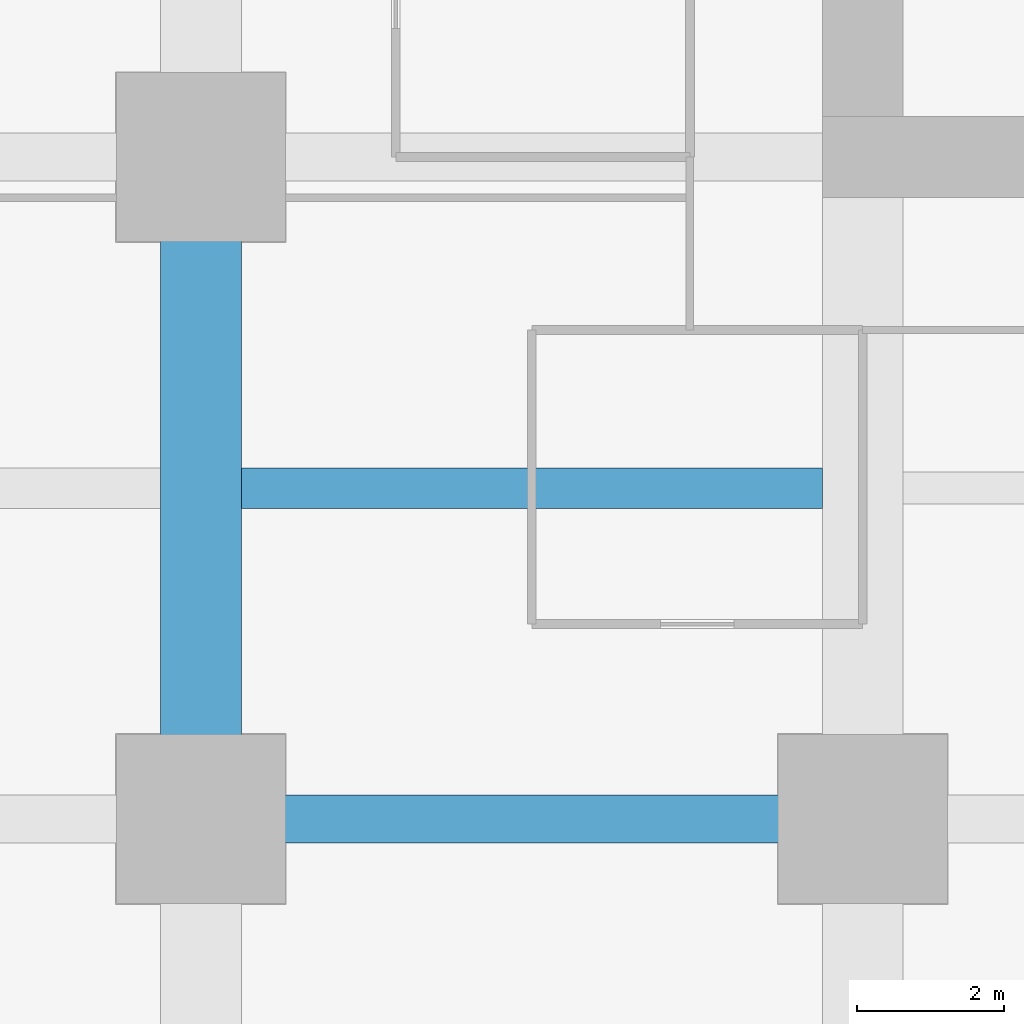
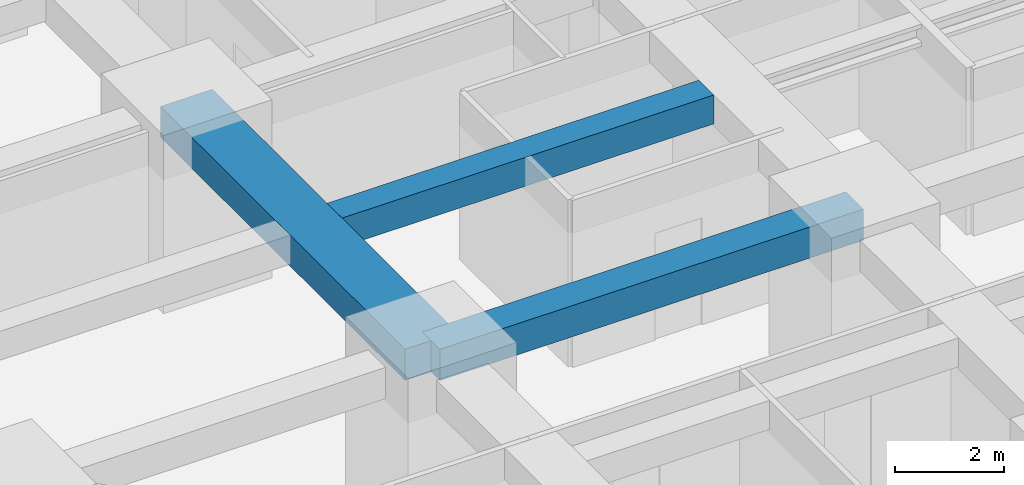
# One storey, part 5 of 45: 3 beams.
"""IFC4 building model written with IfcOpenShell, lengths in metres."""

from ifc_helpers import new_model, si_unit, direction, frame, origin, origin_2d, place, context, subcontext, project, spatial, rectangle, extrude, material, material_profile, profile_set, type_object, element, save


model = new_model("IFC4")

# Units and contexts
model_context = context("Model", 3, precision=1e-05, world=origin(), true_north=direction((0.0, 1.0)))
body_context = subcontext(model_context, "Body", "Model", "MODEL_VIEW")
ifc_project = project(units=[si_unit("LENGTHUNIT", "METRE"), si_unit("AREAUNIT", "SQUARE_METRE"), si_unit("VOLUMEUNIT", "CUBIC_METRE"), si_unit("PLANEANGLEUNIT", "RADIAN"), si_unit("MASSUNIT", "GRAM", prefix="KILO")], contexts=[model_context])

# Site, building, storey
site_placement = place(None, origin())
site = spatial("IfcSite", under=ifc_project, at=site_placement, CompositionType="ELEMENT")
building_placement = place(site_placement, origin())
building = spatial("IfcBuilding", under=site, at=building_placement, Name="Zorevar Civic Tower", CompositionType="ELEMENT")
storey_placement = place(building_placement, frame((0.0, 0.0, 23.800048828125)))
storey = spatial("IfcBuildingStorey", under=building, at=storey_placement, Name="L05", CompositionType="ELEMENT", Elevation=23.800048828125)

# Beams
ifc_material_1 = material(Name="Concrete C50/60", Category="concrete")
ifc_material_profile_1 = material_profile(ifc_material_1, rectangle(XDim=1.10009765625, YDim=0.699951171875, at=origin_2d()), Name="RC 1100x700")
ifc_profile_set_1 = profile_set([ifc_material_profile_1], Name="Concrete C50/60")
beam_type_1 = type_object("IfcBeamType", Name="Beam RC 1100x700", PredefinedType="BEAM", material=ifc_profile_set_1)
beam_1_placement = place(storey_placement, frame((9.0, 9.0, 3.39990234375), z_axis=(0.0, 1.0, 0.0), x_axis=(-1.0, 0.0, 0.0)))
element("IfcBeam", 1, at=beam_1_placement, inside=storey, type_object=beam_type_1, Name="Girder L06", PredefinedType="BEAM", context=body_context, shape_type="SweptSolid", body=[
    extrude(rectangle(XDim=1.10009765625, YDim=0.699951171875, at=origin_2d()), origin(), (0.0, 0.0, 1.0), 9.0),
])
ifc_material_2 = material(Name="Concrete C50/60", Category="concrete")
ifc_material_profile_2 = material_profile(ifc_material_2, rectangle(XDim=0.550048828125, YDim=0.64990234375, at=origin_2d()), Name="RC 550x650")
ifc_profile_set_2 = profile_set([ifc_material_profile_2], Name="Concrete C50/60")
beam_type_2 = type_object("IfcBeamType", Name="Beam RC 550x650", PredefinedType="BEAM", material=ifc_profile_set_2)
beam_2_placement = place(storey_placement, frame((9.550048828125, 13.5, 3.425048828125), z_axis=(1.0, 0.0, 0.0), x_axis=(0.0, 1.0, 0.0)))
element("IfcBeam", 2, at=beam_2_placement, inside=storey, type_object=beam_type_2, Name="Secondary beam L06", PredefinedType="BEAM", context=body_context, shape_type="SweptSolid", body=[
    extrude(rectangle(XDim=0.550048828125, YDim=0.64990234375, at=origin_2d()), origin(), (0.0, 0.0, 1.0), 7.89990234375),
])
ifc_material_3 = material(Name="Concrete C50/60", Category="concrete")
ifc_material_profile_3 = material_profile(ifc_material_3, rectangle(XDim=0.64990234375, YDim=0.699951171875, at=origin_2d()), Name="RC 650x700")
ifc_profile_set_3 = profile_set([ifc_material_profile_3], Name="Concrete C50/60")
beam_type_3 = type_object("IfcBeamType", Name="Beam RC 650x700", PredefinedType="BEAM", material=ifc_profile_set_3)
beam_3_placement = place(storey_placement, frame((9.0, 9.0, 3.39990234375), z_axis=(1.0, 0.0, 0.0), x_axis=(0.0, 1.0, 0.0)))
element("IfcBeam", 3, at=beam_3_placement, inside=storey, type_object=beam_type_3, Name="Girder L06", PredefinedType="BEAM", context=body_context, shape_type="SweptSolid", body=[
    extrude(rectangle(XDim=0.64990234375, YDim=0.699951171875, at=origin_2d()), origin(), (0.0, 0.0, 1.0), 9.0),
])

save(model, "model.ifc")
